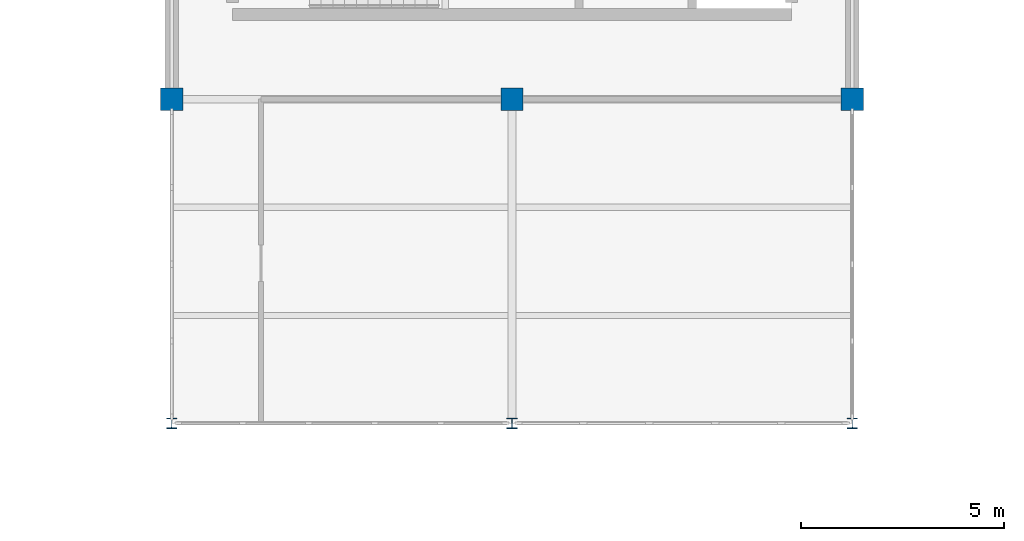
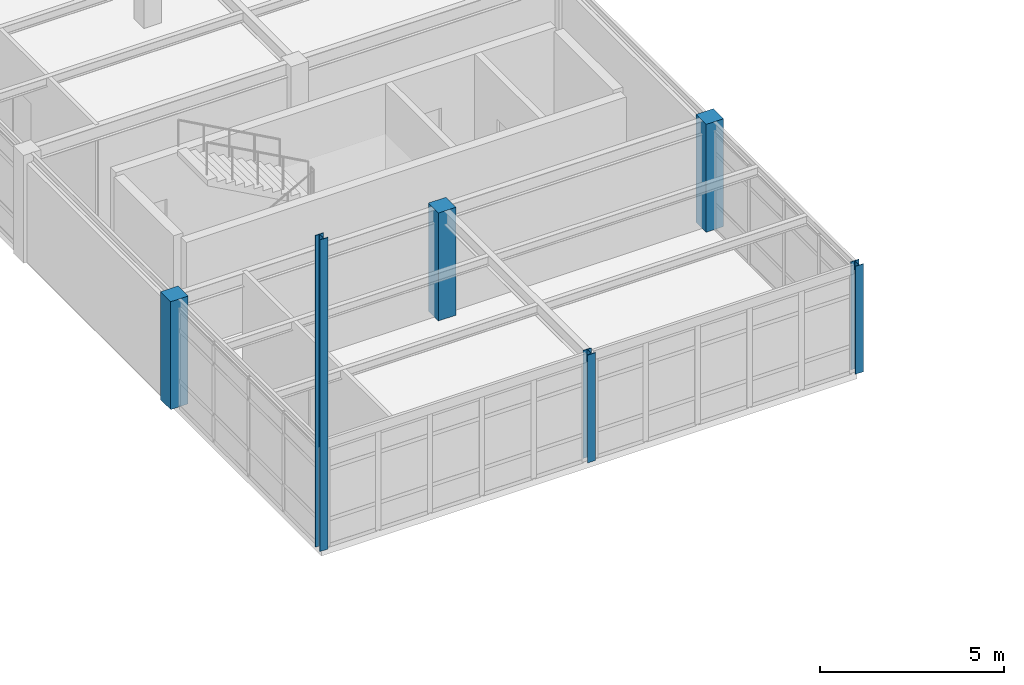
# One storey, part 4 of 53: 6 columns.
"""IFC4 building model written with IfcOpenShell, lengths in metres."""

from ifc_helpers import new_model, si_unit, direction, frame, origin, origin_2d, place, context, subcontext, project, spatial, rectangle, i_section, extrude, material, material_profile, profile_set, type_object, element, save


model = new_model("IFC4")

# Units and contexts
model_context = context("Model", 3, precision=1e-05, world=origin(), true_north=direction((0.0, 1.0)))
body_context = subcontext(model_context, "Body", "Model", "MODEL_VIEW")
ifc_project = project(units=[si_unit("LENGTHUNIT", "METRE"), si_unit("AREAUNIT", "SQUARE_METRE"), si_unit("VOLUMEUNIT", "CUBIC_METRE"), si_unit("PLANEANGLEUNIT", "RADIAN"), si_unit("MASSUNIT", "GRAM", prefix="KILO")], contexts=[model_context])

# Site, building, storey
site_placement = place(None, origin())
site = spatial("IfcSite", under=ifc_project, at=site_placement, CompositionType="ELEMENT")
building_placement = place(site_placement, origin())
building = spatial("IfcBuilding", under=site, at=building_placement, Name="Kranzveld Transit Interchange", CompositionType="ELEMENT")
storey_placement = place(building_placement, frame((0.0, 0.0, 13.360107421875)))
storey = spatial("IfcBuildingStorey", under=building, at=storey_placement, Name="L03", CompositionType="ELEMENT", Elevation=13.360107421875)

# Columns
ifc_material_1 = material(Name="Concrete C35/45", Category="concrete")
ifc_material_profile_1 = material_profile(ifc_material_1, rectangle(XDim=0.550048828125, YDim=0.550048828125, at=origin_2d()), Name="RC 550x550")
ifc_profile_set_1 = profile_set([ifc_material_profile_1], Name="Concrete C35/45")
column_type_1 = type_object("IfcColumnType", Name="Column RC 550x550 C35/45", PredefinedType="COLUMN", material=ifc_profile_set_1)
for number, where, z_axis, x_axis, name in (
    (1, (100.800048828125, 72.0, 0.0), (0.0, 0.0, 1.0), (1.0, 0.0, 0.0), "L03 Column 13/K"),
    (2, (109.199951171875, 72.0, 0.0), (0.0, 0.0, 1.0), (1.0, 0.0, 0.0), "L03 Column 14/K"),
    (3, (117.60009765625, 72.0, 0.0), (0.0, 0.0, 1.0), (1.0, 0.0, 0.0), "L03 Column 15/K"),
):
    element("IfcColumn", number, at=place(storey_placement, frame(where, z_axis=z_axis, x_axis=x_axis)), inside=storey, type_object=column_type_1, Name=name, PredefinedType="COLUMN", context=body_context, shape_type="SweptSolid", body=[
        extrude(rectangle(XDim=0.550048828125, YDim=0.550048828125, at=origin_2d()), origin(), (0.0, 0.0, 1.0), 3.579833984375),
    ])
ifc_material_2 = material(Name="Steel S355JR", Category="steel")
ifc_material_profile_2 = material_profile(ifc_material_2, i_section(OverallWidth=0.25634765625, OverallDepth=0.26025390625, WebThickness=0.01025390625, FlangeThickness=0.017333984375, FilletRadius=0.0126953125, at=origin_2d()), Name="UC 254x254x89")
ifc_profile_set_2 = profile_set([ifc_material_profile_2], Name="Steel S355JR")
column_type_2 = type_object("IfcColumnType", Name="Column Steel UC 254x254x89 S355JR", PredefinedType="COLUMN", material=ifc_profile_set_2)
column_placement = place(storey_placement, frame((100.800048828125, 64.0, 0.0), z_axis=(0.0, 0.0, 1.0), x_axis=(1.0, 0.0, 0.0)))
element("IfcColumn", 4, at=column_placement, inside=storey, type_object=column_type_2, Name="L03 Column 13/J", PredefinedType="COLUMN", context=body_context, shape_type="SweptSolid", body=[
    extrude(i_section(OverallWidth=0.25634765625, OverallDepth=0.26025390625, WebThickness=0.01025390625, FlangeThickness=0.017333984375, FilletRadius=0.0126953125, at=origin_2d()), origin(), (0.0, 0.0, 1.0), 10.33984375),
])
for number, where, z_axis, x_axis, name in (
    (5, (109.199951171875, 64.0, 0.0), (0.0, 0.0, 1.0), (1.0, 0.0, 0.0), "L03 Column 14/J"),
    (6, (117.60009765625, 64.0, 0.0), (0.0, 0.0, 1.0), (1.0, 0.0, 0.0), "L03 Column 15/J"),
):
    element("IfcColumn", number, at=place(storey_placement, frame(where, z_axis=z_axis, x_axis=x_axis)), inside=storey, type_object=column_type_2, Name=name, PredefinedType="COLUMN", context=body_context, shape_type="SweptSolid", body=[
        extrude(i_section(OverallWidth=0.25634765625, OverallDepth=0.26025390625, WebThickness=0.01025390625, FlangeThickness=0.017333984375, FilletRadius=0.0126953125, at=origin_2d()), origin(), (0.0, 0.0, 1.0), 3.579833984375),
    ])

save(model, "model.ifc")
